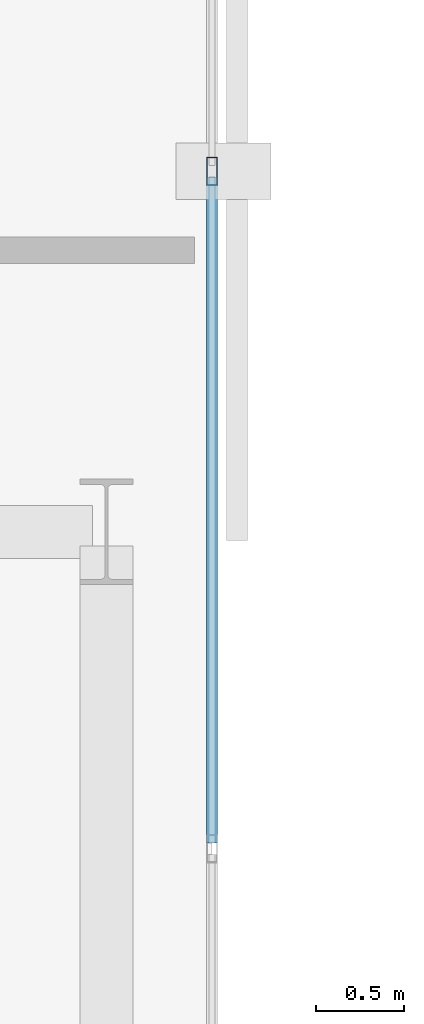
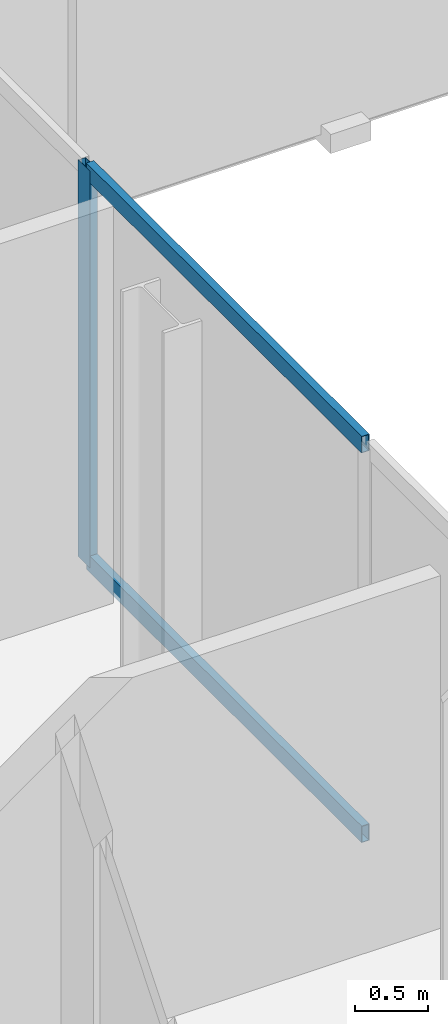
# One storey, part 8 of 32: 3 members, 1 element without a shape of its own.
"""IFC4 building model written with IfcOpenShell, lengths in metres."""

from ifc_helpers import new_model, si_unit, direction, frame, origin, origin_2d, place, context, subcontext, project, spatial, hollow_rectangle, extrude, material, layer, layer_set, material_profile, profile_set, type_object, element, aggregate, save


model = new_model("IFC4")

# Units and contexts
model_context = context("Model", 3, precision=1e-05, world=origin(), true_north=direction((0.0, 1.0)))
body_context = subcontext(model_context, "Body", "Model", "MODEL_VIEW")
ifc_project = project(units=[si_unit("LENGTHUNIT", "METRE"), si_unit("AREAUNIT", "SQUARE_METRE"), si_unit("VOLUMEUNIT", "CUBIC_METRE"), si_unit("PLANEANGLEUNIT", "RADIAN"), si_unit("MASSUNIT", "GRAM", prefix="KILO")], contexts=[model_context])

# Site, building, storey
site_placement = place(None, origin())
site = spatial("IfcSite", under=ifc_project, at=site_placement, CompositionType="ELEMENT")
building_placement = place(site_placement, origin())
building = spatial("IfcBuilding", under=site, at=building_placement, Name="Catumbela Crestline Tower", CompositionType="ELEMENT")
storey_placement = place(building_placement, frame((0.0, 0.0, 136.8)))
storey = spatial("IfcBuildingStorey", under=building, at=storey_placement, Name="L35", CompositionType="ELEMENT", Elevation=136.8)

# Curtain wall, members
ifc_material = material(Name="Aluminium alloy AW-6060-T66", Category="aluminium")
ifc_layer = layer(ifc_material, 0.18, Name="Aluminium alloy AW-6060-T66")
ifc_layer_set = layer_set([ifc_layer], Name="Aluminium alloy AW-6060-T66")
curtain_wall_type = type_object("IfcCurtainWallType", Name="CWU-Z2", PredefinedType="USERDEFINED", material=ifc_layer_set)
curtain_wall_placement = place(storey_placement, origin())
curtain_wall = element("IfcCurtainWall", 1, at=curtain_wall_placement, inside=storey, type_object=curtain_wall_type, Name="L35 Unitised Curtain Wall CW-L35-E2S1", ObjectType="UNITISED", PredefinedType="USERDEFINED")
ifc_material_profile_1 = material_profile(ifc_material, hollow_rectangle(XDim=0.06, YDim=0.16, WallThickness=0.004, at=origin_2d()), Name="ALU 160x60x4")
ifc_profile_set_1 = profile_set([ifc_material_profile_1], Name="Aluminium alloy AW-6060-T66")
member_type_1 = type_object("IfcMemberType", Name="MUL-160X60", PredefinedType="MULLION", material=ifc_profile_set_1)
member_1_placement = place(storey_placement, frame((24.0, 20.05, 0.0), z_axis=(0.0, 0.0, 1.0), x_axis=(-1.0, 0.0, 0.0)))
member_1 = element("IfcMember", 2, at=member_1_placement, type_object=member_type_1, Name="CWU-Z2 mullion 4", PredefinedType="MULLION", context=body_context, shape_type="SweptSolid", body=[
    extrude(hollow_rectangle(XDim=0.06, YDim=0.16, WallThickness=0.004, at=origin_2d()), origin(), (0.0, 0.0, 1.0), 3.33),
])
ifc_material_profile_2 = material_profile(ifc_material, hollow_rectangle(XDim=0.06, YDim=0.14, WallThickness=0.004, at=origin_2d()), Name="ALU 140x60x4")
ifc_profile_set_2 = profile_set([ifc_material_profile_2], Name="Aluminium alloy AW-6060-T66")
member_type_2 = type_object("IfcMemberType", Name="TRN-140X60", PredefinedType="USERDEFINED", material=ifc_profile_set_2)
member_2_placement = place(storey_placement, frame((24.0, 16.2325, 0.03), z_axis=(0.0, 1.0, 0.0), x_axis=(-1.0, 0.0, 0.0)))
member_2 = element("IfcMember", 3, at=member_2_placement, type_object=member_type_2, Name="CWU-Z2 transom 3.1", ObjectType="TRANSOM", PredefinedType="USERDEFINED", context=body_context, shape_type="SweptSolid", body=[
    extrude(hollow_rectangle(XDim=0.06, YDim=0.14, WallThickness=0.004, at=origin_2d()), origin(), (0.0, 0.0, 1.0), 3.785),
])
member_3_placement = place(storey_placement, frame((24.0, 16.2325, 3.3), z_axis=(0.0, 1.0, 0.0), x_axis=(-1.0, 0.0, 0.0)))
member_3 = element("IfcMember", 4, at=member_3_placement, type_object=member_type_2, Name="CWU-Z2 transom 3.2", ObjectType="TRANSOM", PredefinedType="USERDEFINED", context=body_context, shape_type="SweptSolid", body=[
    extrude(hollow_rectangle(XDim=0.06, YDim=0.14, WallThickness=0.004, at=origin_2d()), origin(), (0.0, 0.0, 1.0), 3.785),
])
aggregate(curtain_wall, [member_1, member_2, member_3])

save(model, "model.ifc")
